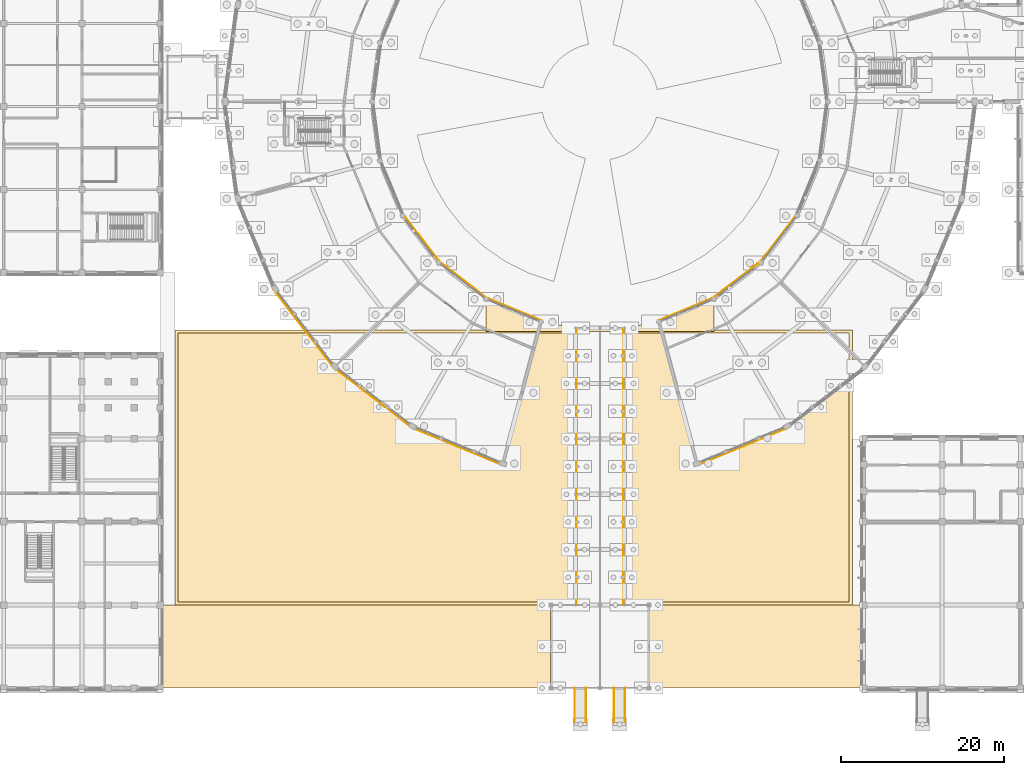
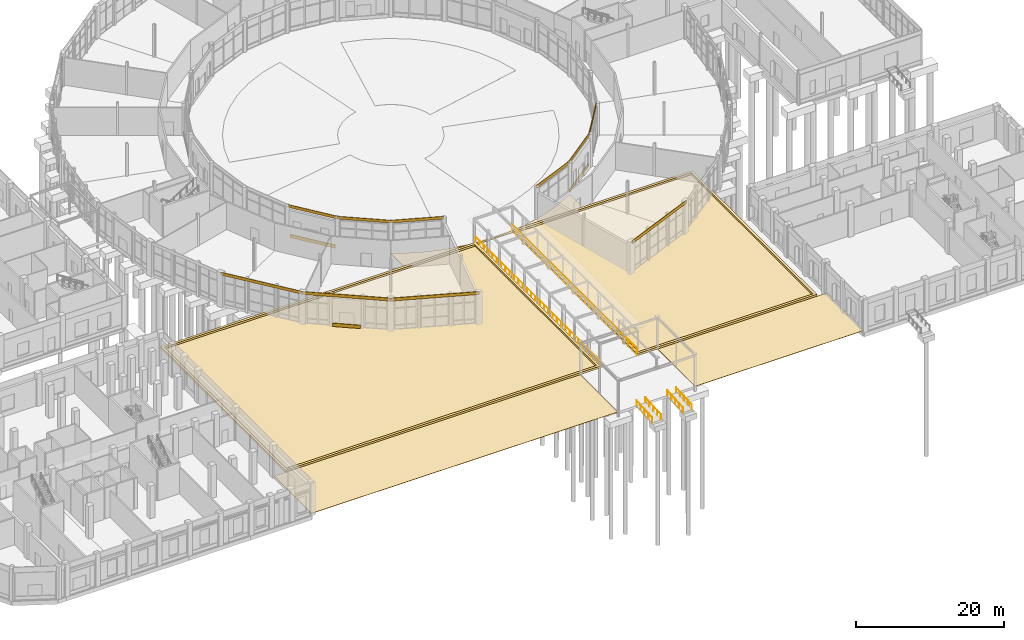
# One storey, part 124 of 137: 20 coverings, 6 railings.
"""IFC4 building model written with IfcOpenShell, lengths in metres."""

from ifc_helpers import new_model, si_unit, direction, frame, origin, origin_2d, place, context, subcontext, project, spatial, polyline, rectangle, circle, outline, extrude, material, layer, layer_set, type_object, element, save


model = new_model("IFC4")

# Units and contexts
model_context = context("Model", 3, precision=1e-05, world=origin(), true_north=direction((0.0, 1.0)))
body_context = subcontext(model_context, "Body", "Model", "MODEL_VIEW")
ifc_project = project(units=[si_unit("LENGTHUNIT", "METRE"), si_unit("AREAUNIT", "SQUARE_METRE"), si_unit("VOLUMEUNIT", "CUBIC_METRE"), si_unit("PLANEANGLEUNIT", "RADIAN"), si_unit("MASSUNIT", "GRAM", prefix="KILO")], contexts=[model_context])

# Site, building, storey
site_placement = place(None, origin())
site = spatial("IfcSite", under=ifc_project, at=site_placement, CompositionType="ELEMENT")
building_placement = place(site_placement, origin())
building = spatial("IfcBuilding", under=site, at=building_placement, Name="Vondelvale Polytechnic", CompositionType="ELEMENT")
storey_placement = place(building_placement, origin())
storey = spatial("IfcBuildingStorey", under=building, at=storey_placement, Name="L00", CompositionType="ELEMENT", Elevation=0.0)

# Coverings
ifc_material_1 = material(Name="Malmsbury bluestone ashlar stone masonry", Category="masonry")
ifc_layer_1 = layer(ifc_material_1, 0.320068359375)
ifc_layer_set_1 = layer_set([ifc_layer_1], Name="COV-BASIN-CURB")
covering_type_1 = type_object("IfcCoveringType", Name="COV-BASIN-CURB", PredefinedType="USERDEFINED", material=ifc_layer_set_1)
covering_1_placement = place(storey_placement, frame((0.0, 0.0, -0.0400390625)))
element("IfcCovering", 1, at=covering_1_placement, inside=storey, type_object=covering_type_1, Name="Reflecting water basin bluestone coping curb (W)", ObjectType="PAVING", PredefinedType="USERDEFINED", context=body_context, shape_type="SweptSolid", body=[
    extrude(outline(polyline([(49.820068359375, 10.219970703125), (99.1298828125, 10.219970703125), (99.1298828125, 43.97998046875), (49.820068359375, 43.97998046875), (49.820068359375, 10.219970703125)]), holes=[polyline([(50.199951171875, 10.60009765625), (98.75, 10.60009765625), (98.75, 43.60009765625), (50.199951171875, 43.60009765625), (50.199951171875, 10.60009765625)])]), origin(), (0.0, 0.0, 1.0), 0.320068359375),
])
covering_2_placement = place(storey_placement, frame((0.0, 0.0, -0.0400390625)))
element("IfcCovering", 2, at=covering_2_placement, inside=storey, type_object=covering_type_1, Name="Reflecting water basin bluestone coping curb (E)", ObjectType="PAVING", PredefinedType="USERDEFINED", context=body_context, shape_type="SweptSolid", body=[
    extrude(outline(polyline([(104.8701171875, 10.219970703125), (132.97998046875, 10.219970703125), (132.97998046875, 43.97998046875), (104.8701171875, 43.97998046875), (104.8701171875, 10.219970703125)]), holes=[polyline([(105.25, 10.60009765625), (132.60009765625, 10.60009765625), (132.60009765625, 43.60009765625), (105.25, 43.60009765625), (105.25, 10.60009765625)])]), origin(), (0.0, 0.0, 1.0), 0.320068359375),
])
ifc_layer_2 = layer(ifc_material_1, 0.080078125)
ifc_layer_set_2 = layer_set([ifc_layer_2], Name="COV-BLUESTONE-PLINTH")
covering_type_2 = type_object("IfcCoveringType", Name="COV-BLUESTONE-PLINTH", PredefinedType="CLADDING", material=ifc_layer_set_2)
covering_3_placement = place(storey_placement, frame((80.131591796875, 55.2197265625, 0.0), z_axis=(0.0, 0.0, 1.0), x_axis=(0.608761429009, -0.793353340291, 0.0)))
element("IfcCovering", 3, at=covering_3_placement, inside=storey, type_object=covering_type_2, Name="L00 exterior corbelled masonry relief band", PredefinedType="CLADDING", context=body_context, shape_type="SweptSolid", body=[
    extrude(rectangle(XDim=6.64990234375, YDim=0.080078125, at=origin_2d()), origin(), (0.0, 0.0, 1.0), 0.550048828125),
])
covering_4_placement = place(storey_placement, frame((74.108154296875, 35.650634765625, 0.0), z_axis=(0.0, 0.0, 1.0), x_axis=(-0.793353340291, 0.608761429009, 0.0)))
element("IfcCovering", 4, at=covering_4_placement, inside=storey, type_object=covering_type_2, Name="L00 exterior corbelled masonry relief band", PredefinedType="CLADDING", context=body_context, shape_type="SweptSolid", body=[
    extrude(rectangle(XDim=3.81103515625, YDim=0.080078125, at=origin_2d()), origin(), (0.0, 0.0, 1.0), 0.550048828125),
])
covering_5_placement = place(storey_placement, frame((118.7802734375, 50.131591796875, 0.0), z_axis=(0.0, 0.0, 1.0), x_axis=(0.793353340291, 0.608761429009, 0.0)))
element("IfcCovering", 5, at=covering_5_placement, inside=storey, type_object=covering_type_2, Name="L00 exterior corbelled masonry relief band", PredefinedType="CLADDING", context=body_context, shape_type="SweptSolid", body=[
    extrude(rectangle(XDim=6.64990234375, YDim=0.080078125, at=origin_2d()), origin(), (0.0, 0.0, 1.0), 0.550048828125),
])
ifc_layer_3 = layer(ifc_material_1, 0.050048828125)
ifc_layer_set_3 = layer_set([ifc_layer_3], Name="COV-COURT-PAVING")
covering_type_3 = type_object("IfcCoveringType", Name="COV-COURT-PAVING", PredefinedType="USERDEFINED", material=ifc_layer_set_3)
covering_6_placement = place(storey_placement, frame((0.0, 0.0, -0.050048828125)))
element("IfcCovering", 6, at=covering_6_placement, inside=storey, type_object=covering_type_3, Name="South entrance portal threshold bluestone paving", ObjectType="PAVING", PredefinedType="USERDEFINED", context=body_context, shape_type="SweptSolid", body=[
    extrude(outline(polyline([(116.0, 43.800048828125), (88.0, 43.800048828125), (88.0, 47.79931640625), (88.018798828125, 47.78662109375), (88.021240234375, 47.785400390625), (91.299072265625, 46.1689453125), (91.301513671875, 46.16796875), (94.76220703125, 44.9931640625), (94.7646484375, 44.992431640625), (98.34912109375, 44.279296875), (98.351806640625, 44.279052734375), (101.998779296875, 44.0400390625), (102.001220703125, 44.0400390625), (105.648193359375, 44.279052734375), (105.65087890625, 44.279296875), (109.2353515625, 44.992431640625), (109.23779296875, 44.9931640625), (112.698486328125, 46.16796875), (112.700927734375, 46.1689453125), (115.978759765625, 47.785400390625), (115.981201171875, 47.78662109375), (116.0, 47.79931640625), (116.0, 43.800048828125)])), origin(), (0.0, 0.0, 1.0), 0.050048828125),
])
covering_7_placement = place(storey_placement, frame((0.0, 0.0, -0.050048828125)))
element("IfcCovering", 7, at=covering_7_placement, inside=storey, type_object=covering_type_3, Name="Civic forecourt bluestone esplanade (ESP-W)", ObjectType="PAVING", PredefinedType="USERDEFINED", context=body_context, shape_type="SweptSolid", body=[
    extrude(outline(polyline([(48.050048828125, 0.0), (95.949951171875, 0.0), (95.949951171875, 10.179931640625), (48.050048828125, 10.179931640625), (48.050048828125, 0.0)])), origin(), (0.0, 0.0, 1.0), 0.050048828125),
])
covering_8_placement = place(storey_placement, frame((0.0, 0.0, -0.050048828125)))
element("IfcCovering", 8, at=covering_8_placement, inside=storey, type_object=covering_type_3, Name="Civic forecourt bluestone esplanade (ESP-E)", ObjectType="PAVING", PredefinedType="USERDEFINED", context=body_context, shape_type="SweptSolid", body=[
    extrude(outline(polyline([(108.050048828125, 0.0), (134.35009765625, 0.0), (134.35009765625, 10.179931640625), (108.050048828125, 10.179931640625), (108.050048828125, 0.0)])), origin(), (0.0, 0.0, 1.0), 0.050048828125),
])
ifc_material_2 = material(Name="Engineered Tasmanian oak studio and bridge joinery")
ifc_layer_4 = layer(ifc_material_2, 0.06494140625)
ifc_layer_set_4 = layer_set([ifc_layer_4], Name="COV-OAK-SPANDREL")
covering_type_4 = type_object("IfcCoveringType", Name="COV-OAK-SPANDREL", PredefinedType="CLADDING", material=ifc_layer_set_4)
covering_9_placement = place(storey_placement, frame((80.11181640625, 55.20458984375, 4.9501953125), z_axis=(0.0, 0.0, 1.0), x_axis=(0.608761429009, -0.793353340291, 0.0)))
element("IfcCovering", 9, at=covering_9_placement, inside=storey, type_object=covering_type_4, Name="L00 exterior masonry spandrel band", PredefinedType="CLADDING", context=body_context, shape_type="SweptSolid", body=[
    extrude(rectangle(XDim=7.3095703125, YDim=0.06494140625, at=origin_2d()), origin(), (0.0, 0.0, 1.0), 0.449951171875),
])
covering_10_placement = place(storey_placement, frame((65.65087890625, 44.1083984375, 4.919921875), z_axis=(0.0, 0.0, 1.0), x_axis=(0.608761429009, -0.793353340291, 0.0)))
element("IfcCovering", 10, at=covering_10_placement, inside=storey, type_object=covering_type_4, Name="L00 exterior masonry spandrel band", PredefinedType="CLADDING", context=body_context, shape_type="SweptSolid", body=[
    extrude(rectangle(XDim=12.00830078125, YDim=0.06494140625, at=origin_2d()), origin(), (0.0, 0.0, 1.0), 0.47998046875),
])
covering_11_placement = place(storey_placement, frame((85.20458984375, 50.11181640625, 4.9501953125), z_axis=(0.0, 0.0, 1.0), x_axis=(0.793353340291, -0.608761429009, 0.0)))
element("IfcCovering", 11, at=covering_11_placement, inside=storey, type_object=covering_type_4, Name="L00 exterior masonry spandrel band", PredefinedType="CLADDING", context=body_context, shape_type="SweptSolid", body=[
    extrude(rectangle(XDim=7.3095703125, YDim=0.06494140625, at=origin_2d()), origin(), (0.0, 0.0, 1.0), 0.449951171875),
])
covering_12_placement = place(storey_placement, frame((74.1083984375, 35.65087890625, 4.919921875), z_axis=(0.0, 0.0, 1.0), x_axis=(0.793353340291, -0.608761429009, 0.0)))
element("IfcCovering", 12, at=covering_12_placement, inside=storey, type_object=covering_type_4, Name="L00 exterior masonry spandrel band", PredefinedType="CLADDING", context=body_context, shape_type="SweptSolid", body=[
    extrude(rectangle(XDim=12.00830078125, YDim=0.06494140625, at=origin_2d()), origin(), (0.0, 0.0, 1.0), 0.47998046875),
])
covering_13_placement = place(storey_placement, frame((91.44189453125, 46.5107421875, 4.9501953125), z_axis=(0.0, 0.0, 1.0), x_axis=(0.923879532511, -0.382683432365, 0.0)))
element("IfcCovering", 13, at=covering_13_placement, inside=storey, type_object=covering_type_4, Name="L00 exterior masonry spandrel band", PredefinedType="CLADDING", context=body_context, shape_type="SweptSolid", body=[
    extrude(rectangle(XDim=7.3095703125, YDim=0.06494140625, at=origin_2d()), origin(), (0.0, 0.0, 1.0), 0.449951171875),
])
covering_14_placement = place(storey_placement, frame((84.466552734375, 29.67041015625, 4.919921875), z_axis=(0.0, 0.0, 1.0), x_axis=(0.923879532511, -0.382683432365, 0.0)))
element("IfcCovering", 14, at=covering_14_placement, inside=storey, type_object=covering_type_4, Name="L00 exterior masonry spandrel band", PredefinedType="CLADDING", context=body_context, shape_type="SweptSolid", body=[
    extrude(rectangle(XDim=12.00830078125, YDim=0.06494140625, at=origin_2d()), origin(), (0.0, 0.0, 1.0), 0.47998046875),
])
covering_15_placement = place(storey_placement, frame((112.55810546875, 46.5107421875, 4.9501953125), z_axis=(0.0, 0.0, 1.0), x_axis=(0.923879532511, 0.382683432365, 0.0)))
element("IfcCovering", 15, at=covering_15_placement, inside=storey, type_object=covering_type_4, Name="L00 exterior masonry spandrel band", PredefinedType="CLADDING", context=body_context, shape_type="SweptSolid", body=[
    extrude(rectangle(XDim=7.3095703125, YDim=0.06494140625, at=origin_2d()), origin(), (0.0, 0.0, 1.0), 0.449951171875),
])
covering_16_placement = place(storey_placement, frame((119.533447265625, 29.67041015625, 4.919921875), z_axis=(0.0, 0.0, 1.0), x_axis=(0.923879532511, 0.382683432365, 0.0)))
element("IfcCovering", 16, at=covering_16_placement, inside=storey, type_object=covering_type_4, Name="L00 exterior masonry spandrel band", PredefinedType="CLADDING", context=body_context, shape_type="SweptSolid", body=[
    extrude(rectangle(XDim=12.00830078125, YDim=0.06494140625, at=origin_2d()), origin(), (0.0, 0.0, 1.0), 0.47998046875),
])
for number, where, z_axis, x_axis, name in (
    (17, (118.79541015625, 50.11181640625, 4.9501953125), (0.0, 0.0, 1.0), (0.793353340291, 0.608761429009, 0.0), "L00 exterior masonry spandrel band"),
    (18, (123.88818359375, 55.20458984375, 4.9501953125), (0.0, 0.0, 1.0), (0.608761429009, 0.793353340291, 0.0), "L00 exterior masonry spandrel band"),
):
    element("IfcCovering", number, at=place(storey_placement, frame(where, z_axis=z_axis, x_axis=x_axis)), inside=storey, type_object=covering_type_4, Name=name, PredefinedType="CLADDING", context=body_context, shape_type="SweptSolid", body=[
        extrude(rectangle(XDim=7.3095703125, YDim=0.06494140625, at=origin_2d()), origin(), (0.0, 0.0, 1.0), 0.449951171875),
    ])
ifc_material_3 = material(Name="Bluestone-lined reflecting water basin surface", Category="masonry")
ifc_layer_5 = layer(ifc_material_3, 0.070068359375)
ifc_layer_set_5 = layer_set([ifc_layer_5], Name="COV-WATER-BASIN")
covering_type_5 = type_object("IfcCoveringType", Name="COV-WATER-BASIN", PredefinedType="USERDEFINED", material=ifc_layer_set_5)
covering_17_placement = place(storey_placement, frame((0.0, 0.0, -0.10009765625)))
element("IfcCovering", 19, at=covering_17_placement, inside=storey, type_object=covering_type_5, Name="South forecourt reflecting water basin (W)", ObjectType="PAVING", PredefinedType="USERDEFINED", context=body_context, shape_type="SweptSolid", body=[
    extrude(outline(polyline([(50.199951171875, 10.60009765625), (98.75, 10.60009765625), (98.75, 43.60009765625), (50.199951171875, 43.60009765625), (50.199951171875, 10.60009765625)])), origin(), (0.0, 0.0, 1.0), 0.070068359375),
])
covering_18_placement = place(storey_placement, frame((0.0, 0.0, -0.10009765625)))
element("IfcCovering", 20, at=covering_18_placement, inside=storey, type_object=covering_type_5, Name="South forecourt reflecting water basin (E)", ObjectType="PAVING", PredefinedType="USERDEFINED", context=body_context, shape_type="SweptSolid", body=[
    extrude(outline(polyline([(105.25, 10.60009765625), (132.60009765625, 10.60009765625), (132.60009765625, 43.60009765625), (105.25, 43.60009765625), (105.25, 10.60009765625)])), origin(), (0.0, 0.0, 1.0), 0.070068359375),
])

# Railings
ifc_material_4 = material(Name="Glulam GL18 structural Tasmanian oak (fb = 42 MPa)", Category="wood")
ifc_layer_6 = layer(ifc_material_4, 0.070068359375)
ifc_layer_set_6 = layer_set([ifc_layer_6], Name="RL-BRIDGE-1150")
railing_type_1 = type_object("IfcRailingType", Name="RL-BRIDGE-1150", PredefinedType="GUARDRAIL", material=ifc_layer_set_6)
railing_1_placement = place(storey_placement, frame((99.1201171875, 10.300048828125, 0.0)))
element("IfcRailing", 21, at=railing_1_placement, inside=storey, type_object=railing_type_1, Name="L00 reflecting basin timber footbridge guardrail", PredefinedType="GUARDRAIL", context=body_context, shape_type="SweptSolid", body=[
    extrude(circle(Radius=0.02392578125, at=origin_2d()), frame((0.0, 0.0, 1.1259765625), z_axis=(0.0, 1.0, 0.0), x_axis=(-1.0, 0.0, 0.0)), (0.0, 0.0, 1.0), 33.800048828125),
    extrude(circle(Radius=0.02099609375, at=origin_2d()), origin(), (0.0, 0.0, 1.0), 1.101806640625),
    extrude(circle(Radius=0.02099609375, at=origin_2d()), frame((0.0, 1.16552734375, 0.0)), (0.0, 0.0, 1.0), 1.101806640625),
    extrude(circle(Radius=0.02099609375, at=origin_2d()), frame((0.0, 2.3310546875, 0.0)), (0.0, 0.0, 1.0), 1.101806640625),
    extrude(circle(Radius=0.02099609375, at=origin_2d()), frame((0.0, 3.49658203125, 0.0)), (0.0, 0.0, 1.0), 1.101806640625),
    extrude(circle(Radius=0.02099609375, at=origin_2d()), frame((0.0, 4.662109375, 0.0)), (0.0, 0.0, 1.0), 1.101806640625),
    extrude(circle(Radius=0.02099609375, at=origin_2d()), frame((0.0, 5.82763671875, 0.0)), (0.0, 0.0, 1.0), 1.101806640625),
    extrude(circle(Radius=0.02099609375, at=origin_2d()), frame((0.0, 6.9931640625, 0.0)), (0.0, 0.0, 1.0), 1.101806640625),
    extrude(circle(Radius=0.02099609375, at=origin_2d()), frame((0.0, 8.15869140625, 0.0)), (0.0, 0.0, 1.0), 1.101806640625),
    extrude(circle(Radius=0.02099609375, at=origin_2d()), frame((0.0, 9.32421875, 0.0)), (0.0, 0.0, 1.0), 1.101806640625),
    extrude(circle(Radius=0.02099609375, at=origin_2d()), frame((0.0, 10.48974609375, 0.0)), (0.0, 0.0, 1.0), 1.101806640625),
    extrude(circle(Radius=0.02099609375, at=origin_2d()), frame((0.0, 11.6552734375, 0.0)), (0.0, 0.0, 1.0), 1.101806640625),
    extrude(circle(Radius=0.02099609375, at=origin_2d()), frame((0.0, 12.82080078125, 0.0)), (0.0, 0.0, 1.0), 1.101806640625),
    extrude(circle(Radius=0.02099609375, at=origin_2d()), frame((0.0, 13.986328125, 0.0)), (0.0, 0.0, 1.0), 1.101806640625),
    extrude(circle(Radius=0.02099609375, at=origin_2d()), frame((0.0, 15.15185546875, 0.0)), (0.0, 0.0, 1.0), 1.101806640625),
    extrude(circle(Radius=0.02099609375, at=origin_2d()), frame((0.0, 16.3173828125, 0.0)), (0.0, 0.0, 1.0), 1.101806640625),
    extrude(circle(Radius=0.02099609375, at=origin_2d()), frame((0.0, 17.482666015625, 0.0)), (0.0, 0.0, 1.0), 1.101806640625),
    extrude(circle(Radius=0.02099609375, at=origin_2d()), frame((0.0, 18.648193359375, 0.0)), (0.0, 0.0, 1.0), 1.101806640625),
    extrude(circle(Radius=0.02099609375, at=origin_2d()), frame((0.0, 19.813720703125, 0.0)), (0.0, 0.0, 1.0), 1.101806640625),
    extrude(circle(Radius=0.02099609375, at=origin_2d()), frame((0.0, 20.979248046875, 0.0)), (0.0, 0.0, 1.0), 1.101806640625),
    extrude(circle(Radius=0.02099609375, at=origin_2d()), frame((0.0, 22.144775390625, 0.0)), (0.0, 0.0, 1.0), 1.101806640625),
    extrude(circle(Radius=0.02099609375, at=origin_2d()), frame((0.0, 23.310302734375, 0.0)), (0.0, 0.0, 1.0), 1.101806640625),
    extrude(circle(Radius=0.02099609375, at=origin_2d()), frame((0.0, 24.475830078125, 0.0)), (0.0, 0.0, 1.0), 1.101806640625),
    extrude(circle(Radius=0.02099609375, at=origin_2d()), frame((0.0, 25.641357421875, 0.0)), (0.0, 0.0, 1.0), 1.101806640625),
    extrude(circle(Radius=0.02099609375, at=origin_2d()), frame((0.0, 26.806884765625, 0.0)), (0.0, 0.0, 1.0), 1.101806640625),
    extrude(circle(Radius=0.02099609375, at=origin_2d()), frame((0.0, 27.972412109375, 0.0)), (0.0, 0.0, 1.0), 1.101806640625),
    extrude(circle(Radius=0.02099609375, at=origin_2d()), frame((0.0, 29.137939453125, 0.0)), (0.0, 0.0, 1.0), 1.101806640625),
    extrude(circle(Radius=0.02099609375, at=origin_2d()), frame((0.0, 30.303466796875, 0.0)), (0.0, 0.0, 1.0), 1.101806640625),
    extrude(circle(Radius=0.02099609375, at=origin_2d()), frame((0.0, 31.468994140625, 0.0)), (0.0, 0.0, 1.0), 1.101806640625),
    extrude(circle(Radius=0.02099609375, at=origin_2d()), frame((0.0, 32.634521484375, 0.0)), (0.0, 0.0, 1.0), 1.101806640625),
    extrude(circle(Radius=0.02099609375, at=origin_2d()), frame((0.0, 33.800048828125, 0.0)), (0.0, 0.0, 1.0), 1.101806640625),
])
railing_2_placement = place(storey_placement, frame((104.8798828125, 10.300048828125, 0.0)))
element("IfcRailing", 22, at=railing_2_placement, inside=storey, type_object=railing_type_1, Name="L00 reflecting basin timber footbridge guardrail", PredefinedType="GUARDRAIL", context=body_context, shape_type="SweptSolid", body=[
    extrude(circle(Radius=0.02392578125, at=origin_2d()), frame((0.0, 0.0, 1.1259765625), z_axis=(0.0, 1.0, 0.0), x_axis=(-1.0, 0.0, 0.0)), (0.0, 0.0, 1.0), 33.800048828125),
    extrude(circle(Radius=0.02099609375, at=origin_2d()), origin(), (0.0, 0.0, 1.0), 1.101806640625),
    extrude(circle(Radius=0.02099609375, at=origin_2d()), frame((0.0, 1.16552734375, 0.0)), (0.0, 0.0, 1.0), 1.101806640625),
    extrude(circle(Radius=0.02099609375, at=origin_2d()), frame((0.0, 2.3310546875, 0.0)), (0.0, 0.0, 1.0), 1.101806640625),
    extrude(circle(Radius=0.02099609375, at=origin_2d()), frame((0.0, 3.49658203125, 0.0)), (0.0, 0.0, 1.0), 1.101806640625),
    extrude(circle(Radius=0.02099609375, at=origin_2d()), frame((0.0, 4.662109375, 0.0)), (0.0, 0.0, 1.0), 1.101806640625),
    extrude(circle(Radius=0.02099609375, at=origin_2d()), frame((0.0, 5.82763671875, 0.0)), (0.0, 0.0, 1.0), 1.101806640625),
    extrude(circle(Radius=0.02099609375, at=origin_2d()), frame((0.0, 6.9931640625, 0.0)), (0.0, 0.0, 1.0), 1.101806640625),
    extrude(circle(Radius=0.02099609375, at=origin_2d()), frame((0.0, 8.15869140625, 0.0)), (0.0, 0.0, 1.0), 1.101806640625),
    extrude(circle(Radius=0.02099609375, at=origin_2d()), frame((0.0, 9.32421875, 0.0)), (0.0, 0.0, 1.0), 1.101806640625),
    extrude(circle(Radius=0.02099609375, at=origin_2d()), frame((0.0, 10.48974609375, 0.0)), (0.0, 0.0, 1.0), 1.101806640625),
    extrude(circle(Radius=0.02099609375, at=origin_2d()), frame((0.0, 11.6552734375, 0.0)), (0.0, 0.0, 1.0), 1.101806640625),
    extrude(circle(Radius=0.02099609375, at=origin_2d()), frame((0.0, 12.82080078125, 0.0)), (0.0, 0.0, 1.0), 1.101806640625),
    extrude(circle(Radius=0.02099609375, at=origin_2d()), frame((0.0, 13.986328125, 0.0)), (0.0, 0.0, 1.0), 1.101806640625),
    extrude(circle(Radius=0.02099609375, at=origin_2d()), frame((0.0, 15.15185546875, 0.0)), (0.0, 0.0, 1.0), 1.101806640625),
    extrude(circle(Radius=0.02099609375, at=origin_2d()), frame((0.0, 16.3173828125, 0.0)), (0.0, 0.0, 1.0), 1.101806640625),
    extrude(circle(Radius=0.02099609375, at=origin_2d()), frame((0.0, 17.482666015625, 0.0)), (0.0, 0.0, 1.0), 1.101806640625),
    extrude(circle(Radius=0.02099609375, at=origin_2d()), frame((0.0, 18.648193359375, 0.0)), (0.0, 0.0, 1.0), 1.101806640625),
    extrude(circle(Radius=0.02099609375, at=origin_2d()), frame((0.0, 19.813720703125, 0.0)), (0.0, 0.0, 1.0), 1.101806640625),
    extrude(circle(Radius=0.02099609375, at=origin_2d()), frame((0.0, 20.979248046875, 0.0)), (0.0, 0.0, 1.0), 1.101806640625),
    extrude(circle(Radius=0.02099609375, at=origin_2d()), frame((0.0, 22.144775390625, 0.0)), (0.0, 0.0, 1.0), 1.101806640625),
    extrude(circle(Radius=0.02099609375, at=origin_2d()), frame((0.0, 23.310302734375, 0.0)), (0.0, 0.0, 1.0), 1.101806640625),
    extrude(circle(Radius=0.02099609375, at=origin_2d()), frame((0.0, 24.475830078125, 0.0)), (0.0, 0.0, 1.0), 1.101806640625),
    extrude(circle(Radius=0.02099609375, at=origin_2d()), frame((0.0, 25.641357421875, 0.0)), (0.0, 0.0, 1.0), 1.101806640625),
    extrude(circle(Radius=0.02099609375, at=origin_2d()), frame((0.0, 26.806884765625, 0.0)), (0.0, 0.0, 1.0), 1.101806640625),
    extrude(circle(Radius=0.02099609375, at=origin_2d()), frame((0.0, 27.972412109375, 0.0)), (0.0, 0.0, 1.0), 1.101806640625),
    extrude(circle(Radius=0.02099609375, at=origin_2d()), frame((0.0, 29.137939453125, 0.0)), (0.0, 0.0, 1.0), 1.101806640625),
    extrude(circle(Radius=0.02099609375, at=origin_2d()), frame((0.0, 30.303466796875, 0.0)), (0.0, 0.0, 1.0), 1.101806640625),
    extrude(circle(Radius=0.02099609375, at=origin_2d()), frame((0.0, 31.468994140625, 0.0)), (0.0, 0.0, 1.0), 1.101806640625),
    extrude(circle(Radius=0.02099609375, at=origin_2d()), frame((0.0, 32.634521484375, 0.0)), (0.0, 0.0, 1.0), 1.101806640625),
    extrude(circle(Radius=0.02099609375, at=origin_2d()), frame((0.0, 33.800048828125, 0.0)), (0.0, 0.0, 1.0), 1.101806640625),
])
ifc_material_5 = material(Name="Brushed architectural stainless and zinc-coated metal")
ifc_layer_7 = layer(ifc_material_5, 0.048095703125)
ifc_layer_set_7 = layer_set([ifc_layer_7], Name="RL-STAIR-HANDRAIL")
railing_type_2 = type_object("IfcRailingType", Name="RL-STAIR-HANDRAIL", PredefinedType="HANDRAIL", material=ifc_layer_set_7)
for number, where, name in (
    (23, (98.909912109375, -4.199951171875, -0.280029296875), "Ramp handrail RMP-01-1"),
    (24, (100.2900390625, -4.199951171875, -0.280029296875), "Ramp handrail RMP-01-2"),
    (25, (103.7099609375, -4.199951171875, -0.280029296875), "Ramp handrail RMP-02-1"),
    (26, (105.090087890625, -4.199951171875, -0.280029296875), "Ramp handrail RMP-02-2"),
):
    element("IfcRailing", number, at=place(storey_placement, frame(where)), inside=storey, type_object=railing_type_2, Name=name, PredefinedType="HANDRAIL", context=body_context, shape_type="SweptSolid", body=[
        extrude(circle(Radius=0.02392578125, at=origin_2d()), frame((0.0, 0.0, 0.8759765625), z_axis=(0.0, 0.997784644547, 0.066526709719), x_axis=(-1.0, 0.0, 0.0)), (0.0, 0.0, 1.0), 4.209228515625),
        extrude(circle(Radius=0.02099609375, at=origin_2d()), origin(), (0.0, 0.0, 1.0), 0.851806640625),
        extrude(circle(Radius=0.02099609375, at=origin_2d()), frame((0.0, 1.050048828125, 0.070068359375)), (0.0, 0.0, 1.0), 0.851806640625),
        extrude(circle(Radius=0.02099609375, at=origin_2d()), frame((0.0, 2.10009765625, 0.14013671875)), (0.0, 0.0, 1.0), 0.851806640625),
        extrude(circle(Radius=0.02099609375, at=origin_2d()), frame((0.0, 3.14990234375, 0.2099609375)), (0.0, 0.0, 1.0), 0.851806640625),
        extrude(circle(Radius=0.02099609375, at=origin_2d()), frame((0.0, 4.199951171875, 0.280029296875)), (0.0, 0.0, 1.0), 0.851806640625),
    ])

save(model, "model.ifc")
